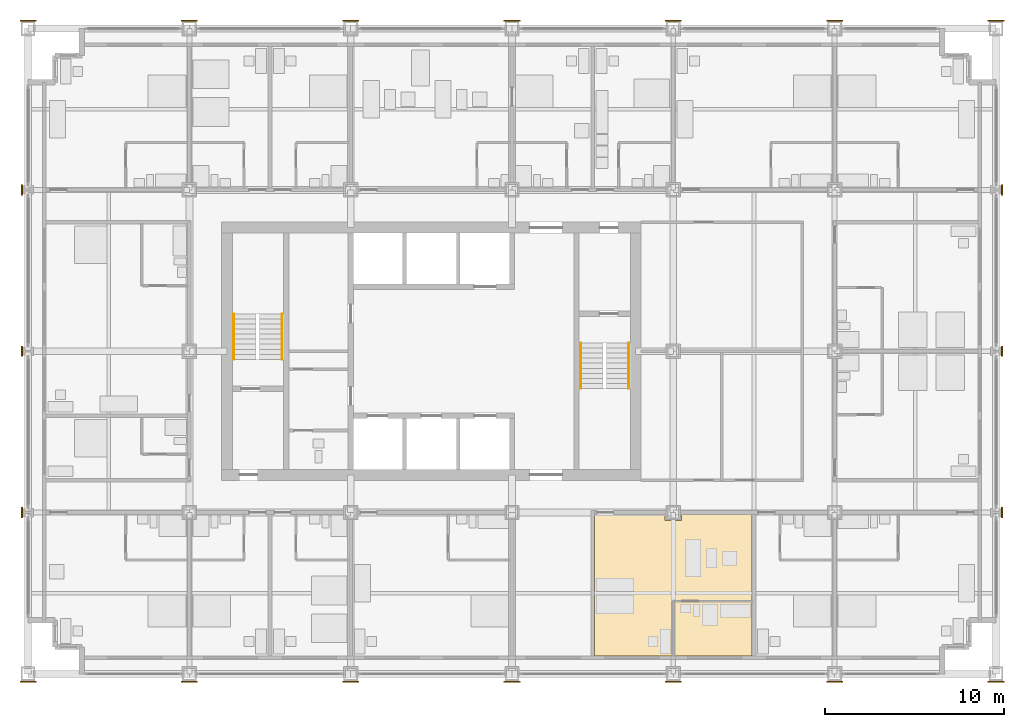
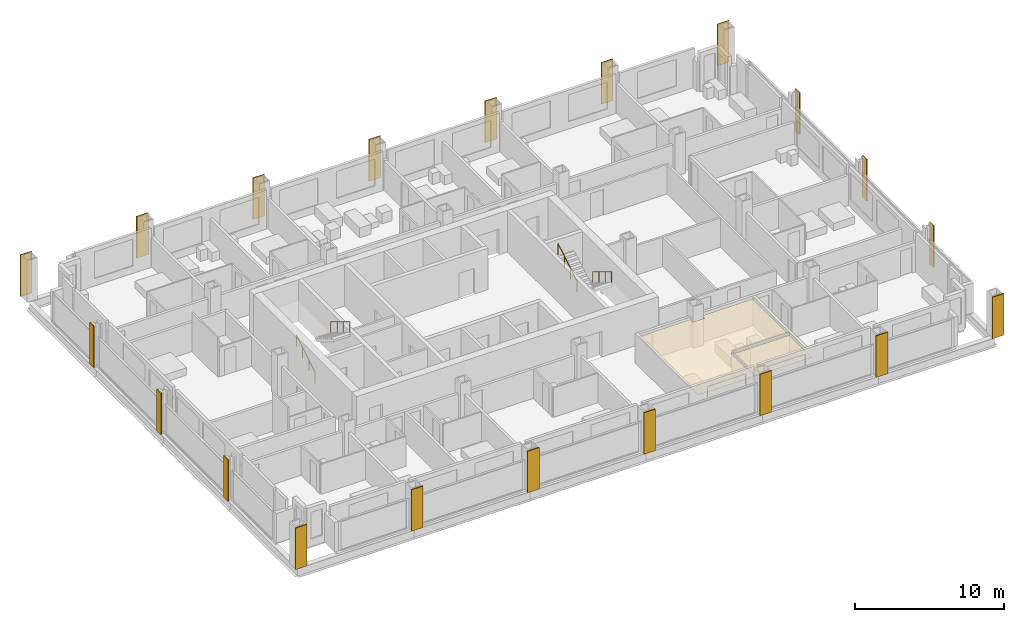
# One storey, part 16 of 18: 22 coverings, 4 railings.
"""IFC4 building model written with IfcOpenShell, lengths in metres."""

from ifc_helpers import new_model, si_unit, direction, frame, origin, origin_2d, place, context, subcontext, project, spatial, polyline, rectangle, circle, outline, extrude, material, layer, layer_set, type_object, element, save


model = new_model("IFC4")

# Units and contexts
model_context = context("Model", 3, precision=1e-05, world=origin(), true_north=direction((0.0, 1.0)))
body_context = subcontext(model_context, "Body", "Model", "MODEL_VIEW")
ifc_project = project(units=[si_unit("LENGTHUNIT", "METRE"), si_unit("AREAUNIT", "SQUARE_METRE"), si_unit("VOLUMEUNIT", "CUBIC_METRE"), si_unit("PLANEANGLEUNIT", "RADIAN"), si_unit("MASSUNIT", "GRAM", prefix="KILO")], contexts=[model_context])

# Site, building, storey
site_placement = place(None, origin())
site = spatial("IfcSite", under=ifc_project, at=site_placement, CompositionType="ELEMENT")
building_placement = place(site_placement, origin())
building = spatial("IfcBuilding", under=site, at=building_placement, Name="Loomwork Tower", CompositionType="ELEMENT")
storey_placement = place(building_placement, frame((0.0, 0.0, 34.800048828125)))
storey = spatial("IfcBuildingStorey", under=building, at=storey_placement, Name="L07", CompositionType="ELEMENT", Elevation=34.800048828125)

# Railings
ifc_material_1 = material(Name="Stainless steel handrail", Category="steel")
railing_type = type_object("IfcRailingType", Name="Handrail 900", PredefinedType="HANDRAIL", material=ifc_material_1)
railing_1_placement = place(storey_placement, frame((11.485107421875, 17.550048828125, 0.169921875)))
element("IfcRailing", 1, at=railing_1_placement, inside=storey, type_object=railing_type, Name="Stair A handrail flight 1 L07", PredefinedType="HANDRAIL", context=body_context, shape_type="SweptSolid", body=[
    extrude(circle(Radius=0.02392578125, at=origin_2d()), frame((0.0, 0.0, 0.8759765625), z_axis=(0.0, 0.85478489116, 0.518982456201), x_axis=(-1.0, 0.0, 0.0)), (0.0, 0.0, 1.0), 2.9482421875),
    extrude(circle(Radius=0.02099609375, at=origin_2d()), origin(), (0.0, 0.0, 1.0), 0.851806640625),
    extrude(circle(Radius=0.02099609375, at=origin_2d()), frame((0.0, 0.840087890625, 0.510009765625)), (0.0, 0.0, 1.0), 0.851806640625),
    extrude(circle(Radius=0.02099609375, at=origin_2d()), frame((0.0, 1.679931640625, 1.02001953125)), (0.0, 0.0, 1.0), 0.851806640625),
    extrude(circle(Radius=0.02099609375, at=origin_2d()), frame((0.0, 2.52001953125, 1.530029296875)), (0.0, 0.0, 1.0), 0.851806640625),
])
for number, where, name in (
    (2, (14.1650390625, 20.070068359375, 1.869873046875), "Stair A handrail flight 2 L07"),
    (3, (33.514892578125, 18.449951171875, 0.169921875), "Stair B handrail flight 1 L07"),
):
    element("IfcRailing", number, at=place(storey_placement, frame(where)), inside=storey, type_object=railing_type, Name=name, PredefinedType="HANDRAIL", context=body_context, shape_type="SweptSolid", body=[
        extrude(circle(Radius=0.02392578125, at=origin_2d()), frame((0.0, 0.0, 0.8759765625), z_axis=(0.0, -0.85478489116, 0.518982456201), x_axis=(1.0, 0.0, 0.0)), (0.0, 0.0, 1.0), 2.9482421875),
        extrude(circle(Radius=0.02099609375, at=origin_2d()), origin(), (0.0, 0.0, 1.0), 0.851806640625),
        extrude(circle(Radius=0.02099609375, at=origin_2d()), frame((0.0, -0.840087890625, 0.510009765625)), (0.0, 0.0, 1.0), 0.851806640625),
        extrude(circle(Radius=0.02099609375, at=origin_2d()), frame((0.0, -1.679931640625, 1.02001953125)), (0.0, 0.0, 1.0), 0.851806640625),
        extrude(circle(Radius=0.02099609375, at=origin_2d()), frame((0.0, -2.52001953125, 1.530029296875)), (0.0, 0.0, 1.0), 0.851806640625),
    ])
railing_2_placement = place(storey_placement, frame((30.8349609375, 15.929931640625, 1.869873046875)))
element("IfcRailing", 4, at=railing_2_placement, inside=storey, type_object=railing_type, Name="Stair B handrail flight 2 L07", PredefinedType="HANDRAIL", context=body_context, shape_type="SweptSolid", body=[
    extrude(circle(Radius=0.02392578125, at=origin_2d()), frame((0.0, 0.0, 0.8759765625), z_axis=(0.0, 0.85478489116, 0.518982456201), x_axis=(-1.0, 0.0, 0.0)), (0.0, 0.0, 1.0), 2.9482421875),
    extrude(circle(Radius=0.02099609375, at=origin_2d()), origin(), (0.0, 0.0, 1.0), 0.851806640625),
    extrude(circle(Radius=0.02099609375, at=origin_2d()), frame((0.0, 0.840087890625, 0.510009765625)), (0.0, 0.0, 1.0), 0.851806640625),
    extrude(circle(Radius=0.02099609375, at=origin_2d()), frame((0.0, 1.679931640625, 1.02001953125)), (0.0, 0.0, 1.0), 0.851806640625),
    extrude(circle(Radius=0.02099609375, at=origin_2d()), frame((0.0, 2.52001953125, 1.530029296875)), (0.0, 0.0, 1.0), 0.851806640625),
])

# Coverings
ifc_material_2 = material(Name="Limestone", Category="masonry")
ifc_layer_1 = layer(ifc_material_2, 0.080078125)
ifc_layer_set_1 = layer_set([ifc_layer_1], Name="Limestone pier facing 80")
covering_type_1 = type_object("IfcCoveringType", Name="Limestone pier facing 80", PredefinedType="CLADDING", material=ifc_layer_set_1)
covering_1_placement = place(storey_placement, frame((0.0, -0.43994140625, 0.0), z_axis=(0.0, 0.0, 1.0), x_axis=(1.0, 0.0, 0.0)))
element("IfcCovering", 5, at=covering_1_placement, inside=storey, type_object=covering_type_1, Name="Pier facing D/2 L07", PredefinedType="CLADDING", context=body_context, shape_type="SweptSolid", body=[
    extrude(rectangle(XDim=0.89990234375, YDim=0.080078125, at=origin_2d()), origin(), (0.0, 0.0, 1.0), 3.39990234375),
])
for number, where, z_axis, x_axis, name in (
    (6, (-0.339599609375, 9.0, 0.0), (0.0, 0.0, 1.0), (1.0, 0.0, 0.0), "Pier facing E/2 L07"),
    (7, (-0.339599609375, 18.0, 0.0), (0.0, 0.0, 1.0), (1.0, 0.0, 0.0), "Pier facing F/2 L07"),
    (8, (-0.339599609375, 27.0, 0.0), (0.0, 0.0, 1.0), (1.0, 0.0, 0.0), "Pier facing G/2 L07"),
):
    element("IfcCovering", number, at=place(storey_placement, frame(where, z_axis=z_axis, x_axis=x_axis)), inside=storey, type_object=covering_type_1, Name=name, PredefinedType="CLADDING", context=body_context, shape_type="SweptSolid", body=[
        extrude(rectangle(XDim=0.080078125, YDim=0.577392578125, at=origin_2d()), origin(), (0.0, 0.0, 1.0), 3.39990234375),
    ])
for number, where, z_axis, x_axis, name in (
    (9, (0.0, 36.43994140625, 0.0), (0.0, 0.0, 1.0), (1.0, 0.0, 0.0), "Pier facing H/2 L07"),
    (10, (9.0, -0.43994140625, 0.0), (0.0, 0.0, 1.0), (1.0, 0.0, 0.0), "Pier facing D/3 L07"),
    (11, (9.0, 36.43994140625, 0.0), (0.0, 0.0, 1.0), (1.0, 0.0, 0.0), "Pier facing H/3 L07"),
    (12, (18.0, -0.43994140625, 0.0), (0.0, 0.0, 1.0), (1.0, 0.0, 0.0), "Pier facing D/4 L07"),
    (13, (18.0, 36.43994140625, 0.0), (0.0, 0.0, 1.0), (1.0, 0.0, 0.0), "Pier facing H/4 L07"),
    (14, (27.0, -0.43994140625, 0.0), (0.0, 0.0, 1.0), (1.0, 0.0, 0.0), "Pier facing D/5 L07"),
    (15, (27.0, 36.43994140625, 0.0), (0.0, 0.0, 1.0), (1.0, 0.0, 0.0), "Pier facing H/5 L07"),
    (16, (36.0, -0.43994140625, 0.0), (0.0, 0.0, 1.0), (1.0, 0.0, 0.0), "Pier facing D/6 L07"),
    (17, (36.0, 36.43994140625, 0.0), (0.0, 0.0, 1.0), (1.0, 0.0, 0.0), "Pier facing H/6 L07"),
    (18, (45.0, -0.43994140625, 0.0), (0.0, 0.0, 1.0), (1.0, 0.0, 0.0), "Pier facing D/7 L07"),
    (19, (45.0, 36.43994140625, 0.0), (0.0, 0.0, 1.0), (1.0, 0.0, 0.0), "Pier facing H/7 L07"),
    (20, (54.0, -0.43994140625, 0.0), (0.0, 0.0, 1.0), (1.0, 0.0, 0.0), "Pier facing D/8 L07"),
):
    element("IfcCovering", number, at=place(storey_placement, frame(where, z_axis=z_axis, x_axis=x_axis)), inside=storey, type_object=covering_type_1, Name=name, PredefinedType="CLADDING", context=body_context, shape_type="SweptSolid", body=[
        extrude(rectangle(XDim=0.89990234375, YDim=0.080078125, at=origin_2d()), origin(), (0.0, 0.0, 1.0), 3.39990234375),
    ])
for number, where, z_axis, x_axis, name in (
    (21, (54.339599609375, 9.0, 0.0), (0.0, 0.0, 1.0), (1.0, 0.0, 0.0), "Pier facing E/8 L07"),
    (22, (54.339599609375, 18.0, 0.0), (0.0, 0.0, 1.0), (1.0, 0.0, 0.0), "Pier facing F/8 L07"),
    (23, (54.339599609375, 27.0, 0.0), (0.0, 0.0, 1.0), (1.0, 0.0, 0.0), "Pier facing G/8 L07"),
):
    element("IfcCovering", number, at=place(storey_placement, frame(where, z_axis=z_axis, x_axis=x_axis)), inside=storey, type_object=covering_type_1, Name=name, PredefinedType="CLADDING", context=body_context, shape_type="SweptSolid", body=[
        extrude(rectangle(XDim=0.080078125, YDim=0.577392578125, at=origin_2d()), origin(), (0.0, 0.0, 1.0), 3.39990234375),
    ])
covering_2_placement = place(storey_placement, frame((54.0, 36.43994140625, 0.0), z_axis=(0.0, 0.0, 1.0), x_axis=(1.0, 0.0, 0.0)))
element("IfcCovering", 24, at=covering_2_placement, inside=storey, type_object=covering_type_1, Name="Pier facing H/8 L07", PredefinedType="CLADDING", context=body_context, shape_type="SweptSolid", body=[
    extrude(rectangle(XDim=0.89990234375, YDim=0.080078125, at=origin_2d()), origin(), (0.0, 0.0, 1.0), 3.39990234375),
])
ifc_material_3 = material(Name="Mineral fibre acoustic tile on suspension grid")
ifc_layer_2 = layer(ifc_material_3, 0.02490234375)
ifc_layer_set_2 = layer_set([ifc_layer_2], Name="Suspended acoustic ceiling")
covering_type_2 = type_object("IfcCoveringType", Name="Suspended acoustic ceiling", PredefinedType="CEILING", material=ifc_layer_set_2)
covering_3_placement = place(storey_placement, frame((0.0, 0.0, 2.175048828125)))
element("IfcCovering", 25, at=covering_3_placement, inside=storey, type_object=covering_type_2, Name="Ceiling Spa bathroom L07", PredefinedType="CEILING", context=body_context, shape_type="SweptSolid", body=[
    extrude(outline(polyline([(40.39990234375, 4.0), (40.39990234375, 1.0), (36.050048828125, 1.0), (36.050048828125, 4.0), (40.39990234375, 4.0)])), origin(), (0.0, 0.0, 1.0), 0.02490234375),
])
covering_4_placement = place(storey_placement, frame((0.0, 0.0, 2.175048828125)))
element("IfcCovering", 26, at=covering_4_placement, inside=storey, type_object=covering_type_2, Name="Ceiling Spa suite L07", PredefinedType="CEILING", context=body_context, shape_type="SweptSolid", body=[
    extrude(outline(polyline([(35.550048828125, 8.89990234375), (35.550048828125, 8.550048828125), (36.449951171875, 8.550048828125), (36.449951171875, 8.89990234375), (40.39990234375, 8.89990234375), (40.39990234375, 4.10009765625), (35.949951171875, 4.10009765625), (35.949951171875, 1.0), (31.60009765625, 1.0), (31.60009765625, 8.89990234375), (35.550048828125, 8.89990234375)])), origin(), (0.0, 0.0, 1.0), 0.02490234375),
])

save(model, "model.ifc")
